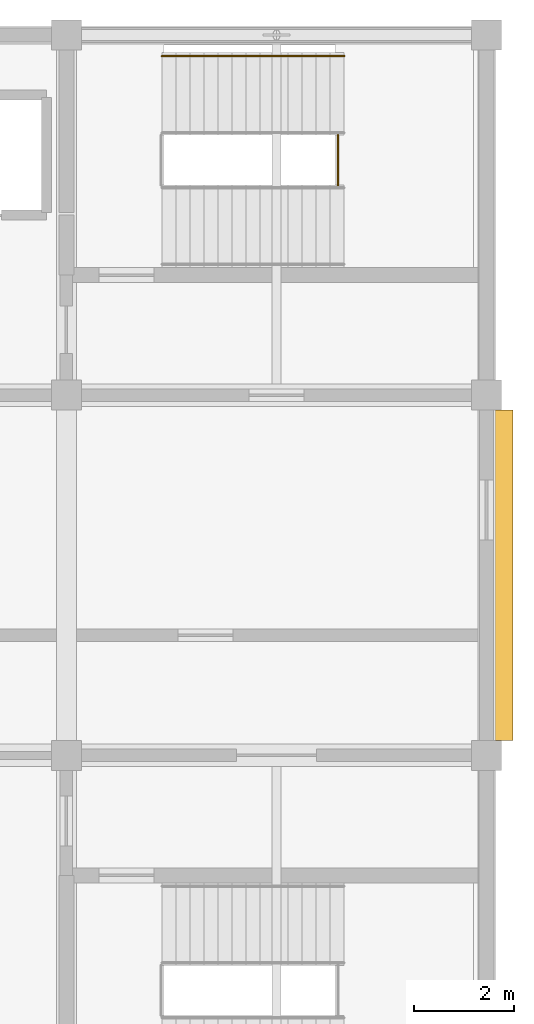
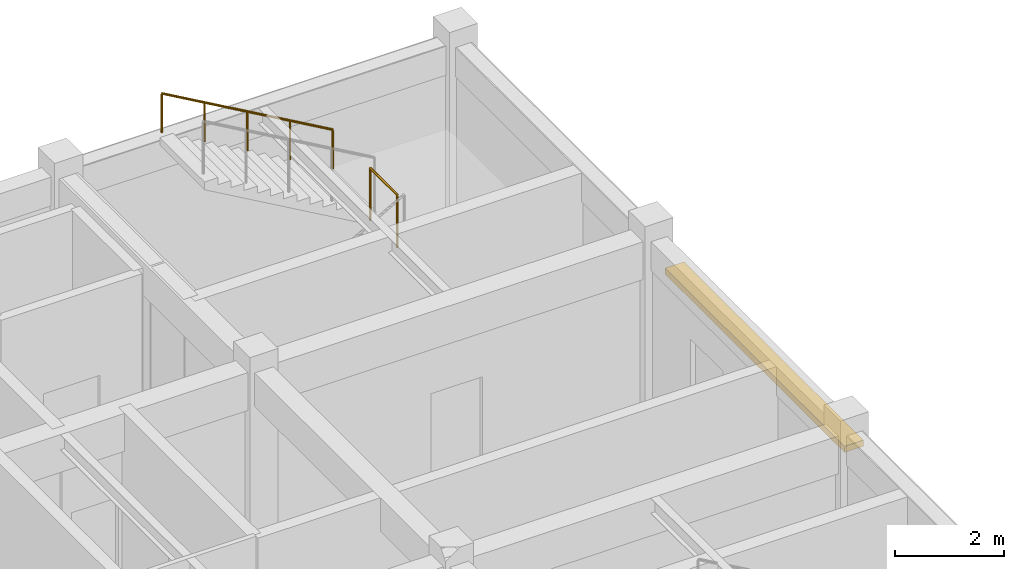
# One storey, part 11 of 11: 2 railings, 1 shading device.
"""IFC4 building model written with IfcOpenShell, lengths in metres."""

from ifc_helpers import new_model, si_unit, direction, frame, origin, origin_2d, place, context, subcontext, project, spatial, rectangle, circle, extrude, material, type_object, element, save


model = new_model("IFC4")

# Units and contexts
model_context = context("Model", 3, precision=1e-05, world=origin(), true_north=direction((0.0, 1.0)))
body_context = subcontext(model_context, "Body", "Model", "MODEL_VIEW")
ifc_project = project(units=[si_unit("LENGTHUNIT", "METRE"), si_unit("AREAUNIT", "SQUARE_METRE"), si_unit("VOLUMEUNIT", "CUBIC_METRE"), si_unit("PLANEANGLEUNIT", "RADIAN"), si_unit("MASSUNIT", "GRAM", prefix="KILO")], contexts=[model_context])

# Site, building, storey
site_placement = place(None, origin())
site = spatial("IfcSite", under=ifc_project, at=site_placement, CompositionType="ELEMENT")
building_placement = place(site_placement, origin())
building = spatial("IfcBuilding", under=site, at=building_placement, Name="Chengyuan Square Courthouse", CompositionType="ELEMENT")
storey_placement = place(building_placement, frame((0.0, 0.0, 68.699951171875)))
storey = spatial("IfcBuildingStorey", under=building, at=storey_placement, Name="L16", CompositionType="ELEMENT", Elevation=68.699951171875)

# Railings
ifc_material_1 = material(Name="Tempered Glass and Timber Top-Rail Balustrade", Category="wood")
railing_type_1 = type_object("IfcRailingType", Name="RL-02", PredefinedType="BALUSTRADE", material=ifc_material_1)
railing_1_placement = place(storey_placement, frame((106.22998046875, 105.0, 2.25)))
element("IfcRailing", 1, at=railing_1_placement, inside=storey, type_object=railing_type_1, Name="Stair Landing Guard ST-2-L16", PredefinedType="BALUSTRADE", context=body_context, shape_type="SweptSolid", body=[
    extrude(circle(Radius=0.02392578125, at=origin_2d()), frame((0.0, 0.0, 1.17578125), z_axis=(0.0, 1.0, 0.0), x_axis=(-1.0, 0.0, 0.0)), (0.0, 0.0, 1.0), 1.0),
    extrude(circle(Radius=0.02099609375, at=origin_2d()), origin(), (0.0, 0.0, 1.0), 1.15185546875),
    extrude(circle(Radius=0.02099609375, at=origin_2d()), frame((0.0, 1.0, 0.0)), (0.0, 0.0, 1.0), 1.15185546875),
])
ifc_material_2 = material(Name="Stainless Steel S30408 Stair Handrail", Category="steel")
railing_type_2 = type_object("IfcRailingType", Name="RL-04", PredefinedType="HANDRAIL", material=ifc_material_2)
railing_2_placement = place(storey_placement, frame((106.35009765625, 107.580078125, 2.41064453125)))
element("IfcRailing", 2, at=railing_2_placement, inside=storey, type_object=railing_type_2, Name="Stair Flight 2 Handrail ST-2-L16", PredefinedType="HANDRAIL", context=body_context, shape_type="SweptSolid", body=[
    extrude(circle(Radius=0.02392578125, at=origin_2d()), frame((0.0, 0.0, 0.8759765625), z_axis=(-0.867289372828, 0.0, 0.497804322781), x_axis=(0.0, -1.0, 0.0)), (0.0, 0.0, 1.0), 4.197021484375),
    extrude(circle(Radius=0.02099609375, at=origin_2d()), origin(), (0.0, 0.0, 1.0), 0.851806640625),
    extrude(circle(Radius=0.02099609375, at=origin_2d()), frame((-0.91015625, 0.0, 0.5224609375)), (0.0, 0.0, 1.0), 0.851806640625),
    extrude(circle(Radius=0.02099609375, at=origin_2d()), frame((-1.820068359375, 0.0, 1.044677734375)), (0.0, 0.0, 1.0), 0.851806640625),
    extrude(circle(Radius=0.02099609375, at=origin_2d()), frame((-2.72998046875, 0.0, 1.56689453125)), (0.0, 0.0, 1.0), 0.851806640625),
    extrude(circle(Radius=0.02099609375, at=origin_2d()), frame((-3.64013671875, 0.0, 2.08935546875)), (0.0, 0.0, 1.0), 0.851806640625),
])

# Shading device
ifc_material_3 = material(Name="Glulam TCt28 Facade Sunshade", Category="wood")
shading_device_type = type_object("IfcShadingDeviceType", Name="SHD-03", PredefinedType="AWNING", material=ifc_material_3)
shading_device_placement = place(storey_placement, frame((109.531982421875, 97.199951171875, 3.2802734375), z_axis=(0.0, 0.0, 1.0), x_axis=(0.0, 1.0, 0.0)))
element("IfcShadingDevice", 3, at=shading_device_placement, inside=storey, type_object=shading_device_type, Name="Glulam Facade Sunshade SHD-L16-0965", PredefinedType="AWNING", context=body_context, shape_type="SweptSolid", body=[
    extrude(rectangle(XDim=6.610107421875, YDim=0.39990234375, at=origin_2d()), origin(), (0.0, 0.0, 1.0), 0.139892578125),
])

save(model, "model.ifc")
